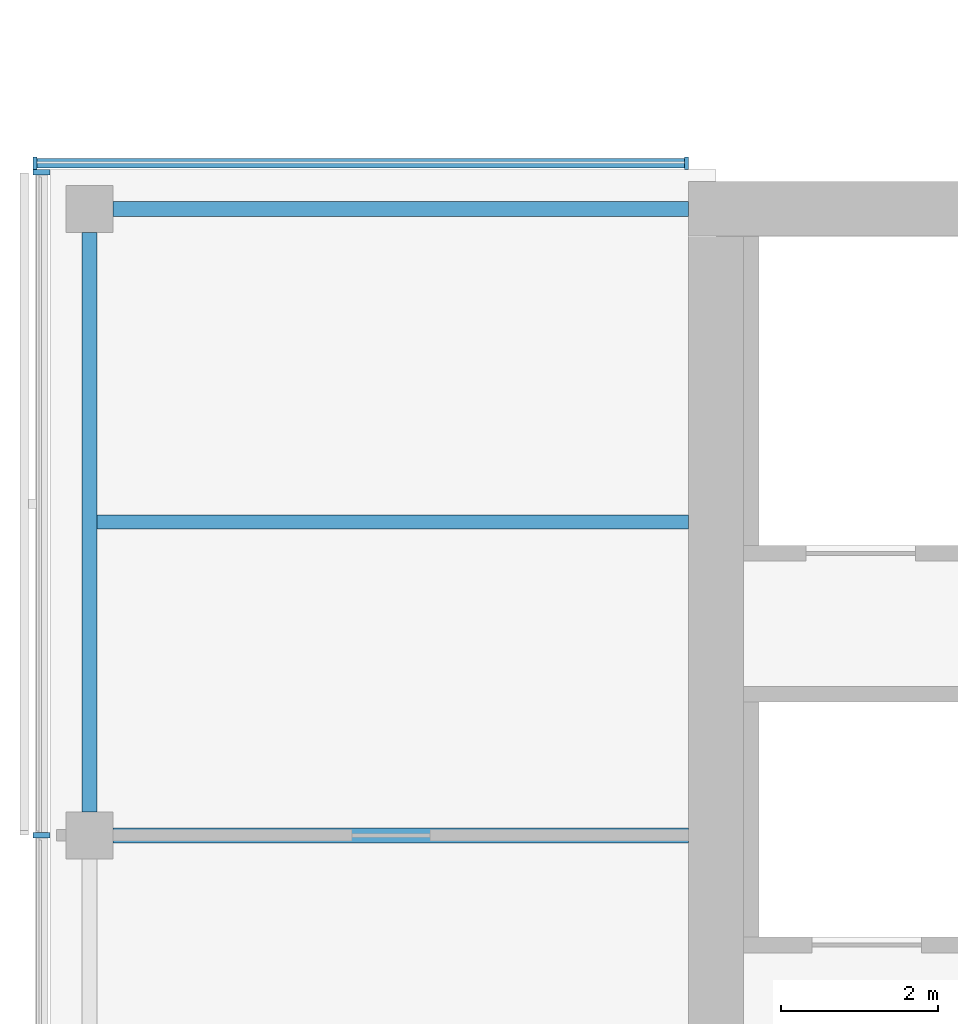
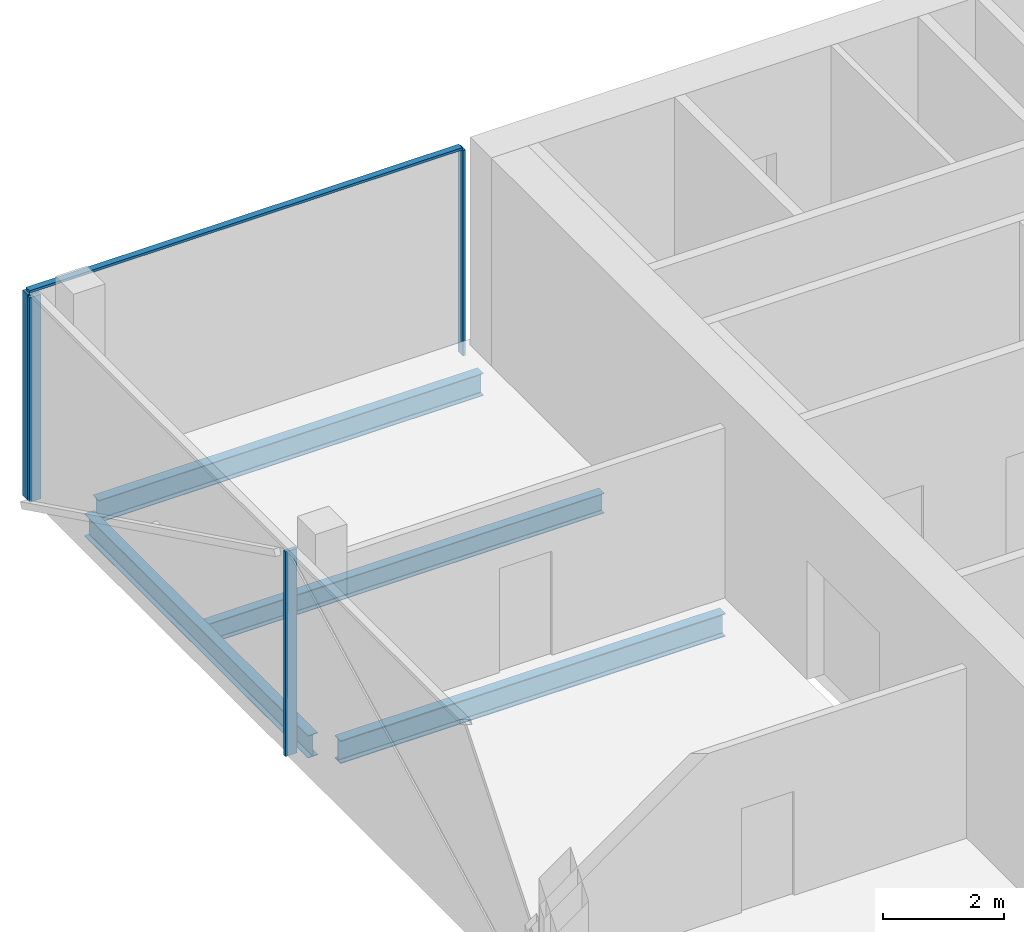
# One storey, part 7 of 22: 5 members, 4 beams, 2 elements without a shape of their own.
"""IFC4 building model written with IfcOpenShell, lengths in metres."""

from ifc_helpers import new_model, si_unit, direction, frame, origin, origin_2d, place, context, subcontext, project, spatial, rectangle, i_section, extrude, material, material_profile, profile_set, type_object, element, aggregate, save


model = new_model("IFC4")

# Units and contexts
model_context = context("Model", 3, precision=1e-05, world=origin(), true_north=direction((0.0, 1.0)))
body_context = subcontext(model_context, "Body", "Model", "MODEL_VIEW")
ifc_project = project(units=[si_unit("LENGTHUNIT", "METRE"), si_unit("AREAUNIT", "SQUARE_METRE"), si_unit("VOLUMEUNIT", "CUBIC_METRE"), si_unit("PLANEANGLEUNIT", "RADIAN"), si_unit("MASSUNIT", "GRAM", prefix="KILO")], contexts=[model_context])

# Site, building, storey
site_placement = place(None, origin())
site = spatial("IfcSite", under=ifc_project, at=site_placement, CompositionType="ELEMENT")
building_placement = place(site_placement, origin())
building = spatial("IfcBuilding", under=site, at=building_placement, Name="Crosswind Convention Tower", CompositionType="ELEMENT")
storey_placement = place(building_placement, frame((0.0, 0.0, 158.89990234375)))
storey = spatial("IfcBuildingStorey", under=building, at=storey_placement, Name="L33", CompositionType="ELEMENT", Elevation=158.89990234375)

# Beams
ifc_material_1 = material(Name="Steel S355", Category="steel")
ifc_material_profile_1 = material_profile(ifc_material_1, i_section(OverallWidth=0.18994140625, OverallDepth=0.45361328125, WebThickness=0.008544921875, FlangeThickness=0.0126953125, FilletRadius=0.01025390625, at=origin_2d()), Name="UB 457x191x67")
ifc_profile_set_1 = profile_set([ifc_material_profile_1], Name="Steel S355")
beam_type_1 = type_object("IfcBeamType", Name="Edge beam UB 457x191x67", PredefinedType="SPANDREL", material=ifc_profile_set_1)
beam_1_placement = place(storey_placement, frame((89.0, 104.300048828125, -0.526611328125), z_axis=(0.0, 1.0, 0.0), x_axis=(-1.0, 0.0, 0.0)))
element("IfcBeam", 1, at=beam_1_placement, inside=storey, type_object=beam_type_1, Name="B16 L33 edge beam 3", PredefinedType="SPANDREL", context=body_context, shape_type="SweptSolid", body=[
    extrude(i_section(OverallWidth=0.18994140625, OverallDepth=0.45361328125, WebThickness=0.008544921875, FlangeThickness=0.0126953125, FilletRadius=0.01025390625, at=origin_2d()), origin(), (0.0, 0.0, 1.0), 7.39990234375),
])
beam_2_placement = place(storey_placement, frame((89.300048828125, 112.0, -0.526611328125), z_axis=(1.0, 0.0, 0.0), x_axis=(0.0, 1.0, 0.0)))
element("IfcBeam", 2, at=beam_2_placement, inside=storey, type_object=beam_type_1, Name="B16 L33 edge beam 5", PredefinedType="SPANDREL", context=body_context, shape_type="SweptSolid", body=[
    extrude(i_section(OverallWidth=0.18994140625, OverallDepth=0.45361328125, WebThickness=0.008544921875, FlangeThickness=0.0126953125, FilletRadius=0.01025390625, at=origin_2d()), origin(), (0.0, 0.0, 1.0), 7.349853515625),
])
ifc_material_profile_2 = material_profile(ifc_material_1, i_section(OverallWidth=0.19189453125, OverallDepth=0.463623046875, WebThickness=0.010498046875, FlangeThickness=0.017578125, FilletRadius=0.01025390625, at=origin_2d()), Name="UB 457x191x90")
ifc_profile_set_2 = profile_set([ifc_material_profile_2], Name="Steel S355")
beam_type_2 = type_object("IfcBeamType", Name="Girder at core wall UB 457x191x90", PredefinedType="BEAM", material=ifc_profile_set_2)
beam_3_placement = place(storey_placement, frame((89.300048828125, 104.0, -0.53173828125), z_axis=(1.0, 0.0, 0.0), x_axis=(0.0, 1.0, 0.0)))
element("IfcBeam", 3, at=beam_3_placement, inside=storey, type_object=beam_type_2, Name="B24 L33 girder at core wall 2", PredefinedType="BEAM", context=body_context, shape_type="SweptSolid", body=[
    extrude(i_section(OverallWidth=0.19189453125, OverallDepth=0.463623046875, WebThickness=0.010498046875, FlangeThickness=0.017578125, FilletRadius=0.01025390625, at=origin_2d()), origin(), (0.0, 0.0, 1.0), 7.349853515625),
])

# Curtain wall, members
ifc_material_2 = material(Name="Aluminium unitised curtain wall", Category="aluminium")
curtain_wall_type_1 = type_object("IfcCurtainWallType", Name="CORE END SLOT WALL 160", PredefinedType="USERDEFINED", material=ifc_material_2)
curtain_wall_1_placement = place(storey_placement, origin())
curtain_wall_1 = element("IfcCurtainWall", 4, at=curtain_wall_1_placement, inside=storey, type_object=curtain_wall_type_1, Name="CW6 L33 W-N.2-1 slot", ObjectType="UNITISED", PredefinedType="USERDEFINED")
ifc_material_3 = material(Name="Aluminium mullion", Category="aluminium")
ifc_material_profile_3 = material_profile(ifc_material_3, rectangle(XDim=0.159912109375, YDim=0.050048828125, at=origin_2d()), Name="AL 160X50")
ifc_profile_set_3 = profile_set([ifc_material_profile_3], Name="Aluminium mullion")
member_type_1 = type_object("IfcMemberType", Name="MULLION 50X160", PredefinedType="MULLION", material=ifc_profile_set_3)
member_1_placement = place(storey_placement, frame((96.625, 112.580078125, -0.2998046875), z_axis=(0.0, 0.0, 1.0), x_axis=(0.0, 1.0, 0.0)))
member_1 = element("IfcMember", 5, at=member_1_placement, type_object=member_type_1, Name="CW6 mullion 1", PredefinedType="MULLION", context=body_context, shape_type="SweptSolid", body=[
    extrude(rectangle(XDim=0.159912109375, YDim=0.050048828125, at=origin_2d()), origin(), (0.0, 0.0, 1.0), 4.14990234375),
])
member_2_placement = place(storey_placement, frame((88.304931640625, 112.580078125, -0.2998046875), z_axis=(0.0, 0.0, 1.0), x_axis=(0.0, 1.0, 0.0)))
member_2 = element("IfcMember", 6, at=member_2_placement, type_object=member_type_1, Name="CW6 mullion 2", PredefinedType="MULLION", context=body_context, shape_type="SweptSolid", body=[
    extrude(rectangle(XDim=0.159912109375, YDim=0.050048828125, at=origin_2d()), origin(), (0.0, 0.0, 1.0), 4.14990234375),
])

curtain_wall_type_2 = type_object("IfcCurtainWallType", Name="OFFICE UNITISED WALL 220", PredefinedType="USERDEFINED", material=ifc_material_2)
curtain_wall_2_placement = place(storey_placement, origin())
curtain_wall_2 = element("IfcCurtainWall", 7, at=curtain_wall_2_placement, inside=storey, type_object=curtain_wall_type_2, Name="CW3 L33 W-TIP 1", ObjectType="UNITISED", PredefinedType="USERDEFINED")
ifc_material_profile_4 = material_profile(ifc_material_3, rectangle(XDim=0.219970703125, YDim=0.070068359375, at=origin_2d()), Name="AL 220X70")
ifc_profile_set_4 = profile_set([ifc_material_profile_4], Name="Aluminium mullion")
member_type_2 = type_object("IfcMemberType", Name="MULLION 70X220", PredefinedType="MULLION", material=ifc_profile_set_4)
member_3_placement = place(storey_placement, frame((88.389892578125, 112.465087890625, -0.2998046875), z_axis=(0.0, 0.0, 1.0), x_axis=(-1.0, 0.0, 0.0)))
member_3 = element("IfcMember", 8, at=member_3_placement, type_object=member_type_2, Name="CW3 mullion 1", PredefinedType="MULLION", context=body_context, shape_type="SweptSolid", body=[
    extrude(rectangle(XDim=0.219970703125, YDim=0.070068359375, at=origin_2d()), origin(), (0.0, 0.0, 1.0), 4.1298828125),
])
member_4_placement = place(storey_placement, frame((88.389892578125, 104.0, -0.2998046875), z_axis=(0.0, 0.0, 1.0), x_axis=(-1.0, 0.0, 0.0)))
member_4 = element("IfcMember", 9, at=member_4_placement, type_object=member_type_2, Name="CW3 mullion 2", PredefinedType="MULLION", context=body_context, shape_type="SweptSolid", body=[
    extrude(rectangle(XDim=0.219970703125, YDim=0.070068359375, at=origin_2d()), origin(), (0.0, 0.0, 1.0), 4.1298828125),
])
aggregate(curtain_wall_2, [member_3, member_4])

# Beam
ifc_material_profile_5 = material_profile(ifc_material_1, i_section(OverallWidth=0.177734375, OverallDepth=0.406494140625, WebThickness=0.0078125, FlangeThickness=0.0126953125, FilletRadius=0.01025390625, at=origin_2d()), Name="UB 406x178x60")
ifc_profile_set_5 = profile_set([ifc_material_profile_5], Name="Steel S355")
beam_type_3 = type_object("IfcBeamType", Name="Secondary beam UB 406x178x60", PredefinedType="JOIST", material=ifc_profile_set_5)
beam_4_placement = place(storey_placement, frame((89.094970703125, 108.0, -0.503173828125), z_axis=(1.0, 0.0, 0.0), x_axis=(0.0, 1.0, 0.0)))
element("IfcBeam", 10, at=beam_4_placement, inside=storey, type_object=beam_type_3, Name="B10 L33 secondary beam 3", PredefinedType="JOIST", context=body_context, shape_type="SweptSolid", body=[
    extrude(i_section(OverallWidth=0.177734375, OverallDepth=0.406494140625, WebThickness=0.0078125, FlangeThickness=0.0126953125, FilletRadius=0.01025390625, at=origin_2d()), origin(), (0.0, 0.0, 1.0), 7.554931640625),
])

# Member
ifc_material_4 = material(Name="Aluminium transom", Category="aluminium")
ifc_material_profile_6 = material_profile(ifc_material_4, rectangle(XDim=0.1201171875, YDim=0.050048828125, at=origin_2d()), Name="AL 120X50")
ifc_profile_set_6 = profile_set([ifc_material_profile_6], Name="Aluminium transom")
member_type_3 = type_object("IfcMemberType", Name="TRANSOM 50X120", PredefinedType="USERDEFINED", material=ifc_profile_set_6)
member_5_placement = place(storey_placement, frame((96.60009765625, 112.580078125, 3.875), z_axis=(-1.0, 0.0, 0.0), x_axis=(0.0, -1.0, 0.0)))
member_5 = element("IfcMember", 11, at=member_5_placement, type_object=member_type_3, Name="CW6 transom", ObjectType="TRANSOM", PredefinedType="USERDEFINED", context=body_context, shape_type="SweptSolid", body=[
    extrude(rectangle(XDim=0.1201171875, YDim=0.050048828125, at=origin_2d()), origin(), (0.0, 0.0, 1.0), 8.27001953125),
])

aggregate(curtain_wall_1, [member_1, member_2, member_5])

save(model, "model.ifc")
